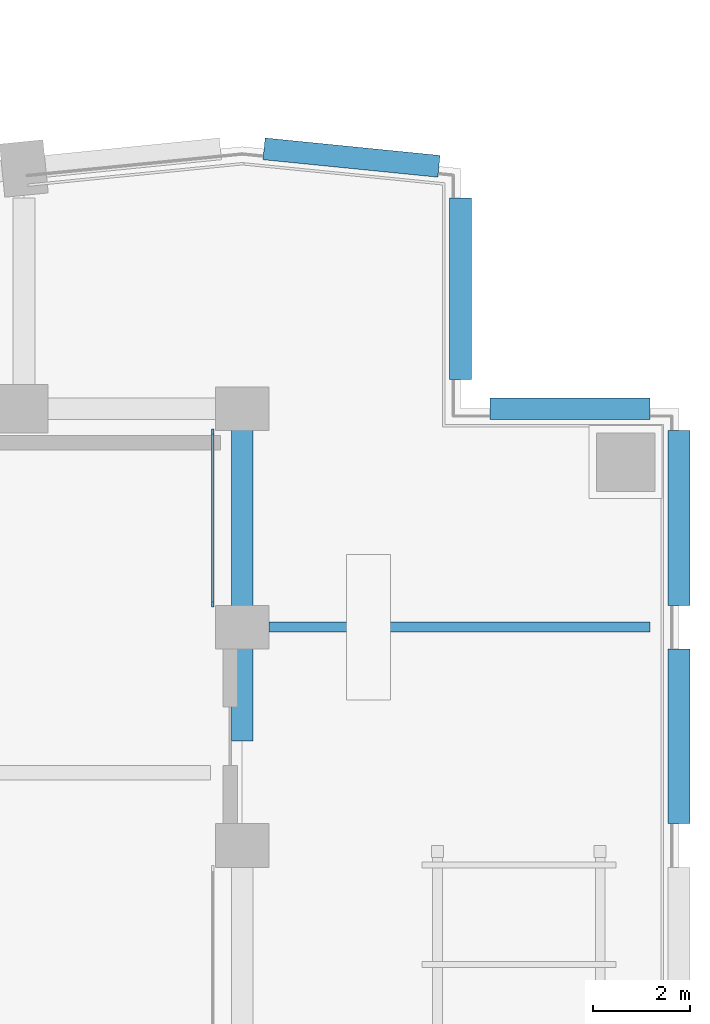
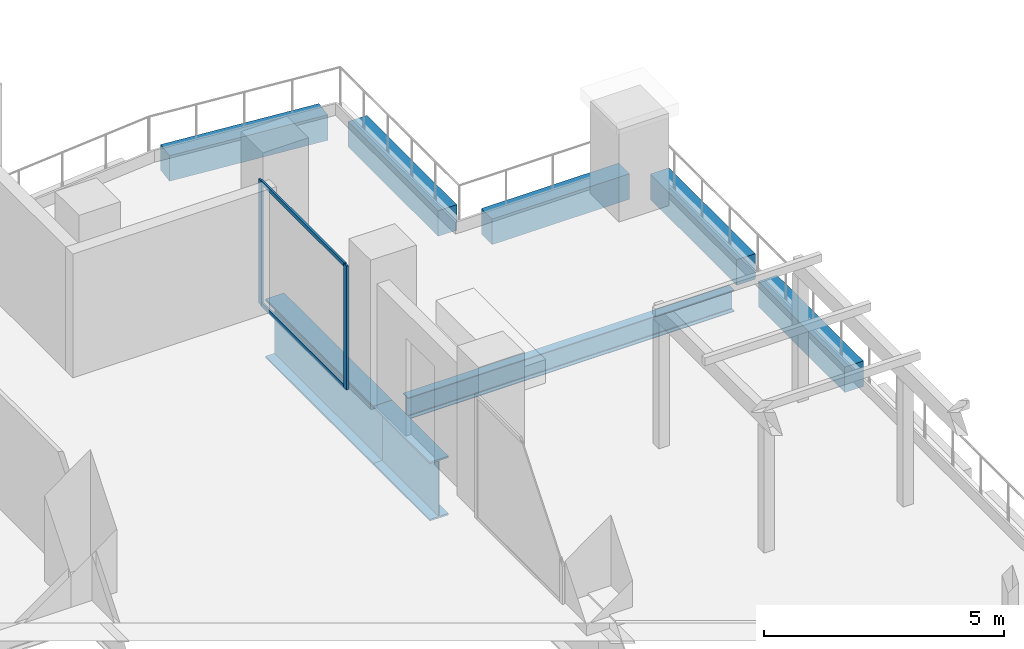
# One storey, part 8 of 18: 8 beams, 4 members, 1 element without a shape of its own.
"""IFC4 building model written with IfcOpenShell, lengths in metres."""

from ifc_helpers import new_model, si_unit, direction, frame, origin, origin_2d, place, context, subcontext, project, spatial, rectangle, i_section, extrude, material, material_profile, profile_set, type_object, element, aggregate, save


model = new_model("IFC4")

# Units and contexts
model_context = context("Model", 3, precision=1e-05, world=origin(), true_north=direction((0.0, 1.0)))
body_context = subcontext(model_context, "Body", "Model", "MODEL_VIEW")
ifc_project = project(units=[si_unit("LENGTHUNIT", "METRE"), si_unit("AREAUNIT", "SQUARE_METRE"), si_unit("VOLUMEUNIT", "CUBIC_METRE"), si_unit("PLANEANGLEUNIT", "RADIAN"), si_unit("MASSUNIT", "GRAM", prefix="KILO")], contexts=[model_context])

# Site, building, storey
site_placement = place(None, origin())
site = spatial("IfcSite", under=ifc_project, at=site_placement, CompositionType="ELEMENT")
building_placement = place(site_placement, origin())
building = spatial("IfcBuilding", under=site, at=building_placement, Name="Brondeck Convention Tower", CompositionType="ELEMENT")
storey_placement = place(building_placement, frame((0.0, 0.0, 143.39990234375)))
storey = spatial("IfcBuildingStorey", under=building, at=storey_placement, Name="L34", CompositionType="ELEMENT", Elevation=143.39990234375)

# Curtain wall, members
ifc_material_1 = material(Name="Aluminium, bronze anodised", Category="aluminium")
curtain_wall_type = type_object("IfcCurtainWallType", Name="Terrace door screen curtain wall", PredefinedType="NOTDEFINED", material=ifc_material_1)
curtain_wall_placement = place(storey_placement, origin())
curtain_wall = element("IfcCurtainWall", 1, at=curtain_wall_placement, inside=storey, type_object=curtain_wall_type, Name="ENV-CW6-L34-A-E63-06", PredefinedType="NOTDEFINED")
ifc_material_profile_1 = material_profile(ifc_material_1, rectangle(XDim=0.050048828125, YDim=0.1201171875, at=origin_2d()), Name="CW6 mullion")
ifc_profile_set_1 = profile_set([ifc_material_profile_1], Name="Aluminium, bronze anodised")
member_type_1 = type_object("IfcMemberType", Name="CW6 mullion", PredefinedType="MULLION", material=ifc_profile_set_1)
member_1_placement = place(storey_placement, frame((62.389892578125, 58.02490234375, 0.0), z_axis=(0.0, 0.0, 1.0), x_axis=(1.0, 0.0, 0.0)))
member_1 = element("IfcMember", 2, at=member_1_placement, type_object=member_type_1, Name="CW6 mullion 1", PredefinedType="MULLION", context=body_context, shape_type="SweptSolid", body=[
    extrude(rectangle(XDim=0.050048828125, YDim=0.1201171875, at=origin_2d()), origin(), (0.0, 0.0, 1.0), 3.150146484375),
])
member_2_placement = place(storey_placement, frame((62.389892578125, 54.47509765625, 0.0), z_axis=(0.0, 0.0, 1.0), x_axis=(1.0, 0.0, 0.0)))
member_2 = element("IfcMember", 3, at=member_2_placement, type_object=member_type_1, Name="CW6 mullion 2", PredefinedType="MULLION", context=body_context, shape_type="SweptSolid", body=[
    extrude(rectangle(XDim=0.050048828125, YDim=0.1201171875, at=origin_2d()), origin(), (0.0, 0.0, 1.0), 3.150146484375),
])
ifc_material_profile_2 = material_profile(ifc_material_1, rectangle(XDim=0.050048828125, YDim=0.10009765625, at=origin_2d()), Name="CW6 transom")
ifc_profile_set_2 = profile_set([ifc_material_profile_2], Name="Aluminium, bronze anodised")
member_type_2 = type_object("IfcMemberType", Name="CW6 transom", PredefinedType="USERDEFINED", material=ifc_profile_set_2)
member_3_placement = place(storey_placement, frame((62.389892578125, 58.0, 0.025146484375), z_axis=(0.0, -1.0, 0.0), x_axis=(1.0, 0.0, 0.0)))
member_3 = element("IfcMember", 4, at=member_3_placement, type_object=member_type_2, Name="CW6 transom 1.1", ObjectType="TRANSOM", PredefinedType="USERDEFINED", context=body_context, shape_type="SweptSolid", body=[
    extrude(rectangle(XDim=0.050048828125, YDim=0.10009765625, at=origin_2d()), origin(), (0.0, 0.0, 1.0), 3.5),
])
member_4_placement = place(storey_placement, frame((62.389892578125, 58.0, 3.125), z_axis=(0.0, -1.0, 0.0), x_axis=(1.0, 0.0, 0.0)))
member_4 = element("IfcMember", 5, at=member_4_placement, type_object=member_type_2, Name="CW6 transom 1.2", ObjectType="TRANSOM", PredefinedType="USERDEFINED", context=body_context, shape_type="SweptSolid", body=[
    extrude(rectangle(XDim=0.050048828125, YDim=0.10009765625, at=origin_2d()), origin(), (0.0, 0.0, 1.0), 3.5),
])
aggregate(curtain_wall, [member_1, member_2, member_3, member_4])

# Beams
ifc_material_2 = material(Name="Steel S355", Category="steel")
ifc_material_profile_3 = material_profile(ifc_material_2, i_section(OverallWidth=0.2099609375, OverallDepth=0.550048828125, WebThickness=0.010986328125, FlangeThickness=0.01708984375, FilletRadius=0.02392578125, at=origin_2d()), Name="IPE 550")
ifc_profile_set_3 = profile_set([ifc_material_profile_3], Name="Steel S355")
beam_type_1 = type_object("IfcBeamType", Name="Floor beam IPE 550", PredefinedType="BEAM", material=ifc_profile_set_3)
beam_1_placement = place(storey_placement, frame((63.550048828125, 54.0, -0.574951171875), z_axis=(1.0, 0.0, 0.0), x_axis=(0.0, 1.0, 0.0)))
element("IfcBeam", 6, at=beam_1_placement, inside=storey, type_object=beam_type_1, Name="STR-FB-L34T2-003", PredefinedType="BEAM", context=body_context, shape_type="SweptSolid", body=[
    extrude(i_section(OverallWidth=0.2099609375, OverallDepth=0.550048828125, WebThickness=0.010986328125, FlangeThickness=0.01708984375, FilletRadius=0.02392578125, at=origin_2d()), origin(), (0.0, 0.0, 1.0), 7.849853515625),
])
ifc_material_3 = material(Name="Concrete C70/85", Category="concrete")
ifc_material_profile_4 = material_profile(ifc_material_3, rectangle(XDim=0.449951171875, YDim=0.64990234375, at=origin_2d()), Name="Precast spandrel 450x650 Concrete C70/85")
ifc_profile_set_4 = profile_set([ifc_material_profile_4], Name="Concrete C70/85")
beam_type_2 = type_object("IfcBeamType", Name="Precast spandrel 450x650 Concrete C70/85", PredefinedType="SPANDREL", material=ifc_profile_set_4)
beam_2_placement = place(storey_placement, frame((63.449951171875, 63.85498046875, -0.324951171875), z_axis=(0.995040528141, -0.099470334057, 0.0), x_axis=(0.099470334057, 0.995040528141, 0.0)))
element("IfcBeam", 7, at=beam_2_placement, inside=storey, type_object=beam_type_2, Name="STR-SP-L34T2-001", PredefinedType="SPANDREL", context=body_context, shape_type="SweptSolid", body=[
    extrude(rectangle(XDim=0.449951171875, YDim=0.64990234375, at=origin_2d()), origin(), (0.0, 0.0, 1.0), 3.620361328125),
])
beam_3_placement = place(storey_placement, frame((67.5, 62.846923828125, -0.324951171875), z_axis=(0.0, -1.0, 0.0), x_axis=(1.0, 0.0, 0.0)))
element("IfcBeam", 8, at=beam_3_placement, inside=storey, type_object=beam_type_2, Name="STR-SP-L34T2-002", PredefinedType="SPANDREL", context=body_context, shape_type="SweptSolid", body=[
    extrude(rectangle(XDim=0.449951171875, YDim=0.64990234375, at=origin_2d()), origin(), (0.0, 0.0, 1.0), 3.746826171875),
])
beam_4_placement = place(storey_placement, frame((68.10009765625, 58.5, -0.324951171875), z_axis=(1.0, 0.0, 0.0), x_axis=(0.0, 1.0, 0.0)))
element("IfcBeam", 9, at=beam_4_placement, inside=storey, type_object=beam_type_2, Name="STR-SP-L34T2-003", PredefinedType="SPANDREL", context=body_context, shape_type="SweptSolid", body=[
    extrude(rectangle(XDim=0.449951171875, YDim=0.64990234375, at=origin_2d()), origin(), (0.0, 0.0, 1.0), 3.2998046875),
])
for number, where, z_axis, x_axis, name in (
    (10, (72.0, 58.050048828125, -0.324951171875), (0.0, -1.0, 0.0), (1.0, 0.0, 0.0), "STR-SP-L34T2-004"),
    (11, (72.0, 53.550048828125, -0.324951171875), (0.0, -1.0, 0.0), (1.0, 0.0, 0.0), "STR-SP-L34T2-005"),
):
    element("IfcBeam", number, at=place(storey_placement, frame(where, z_axis=z_axis, x_axis=x_axis)), inside=storey, type_object=beam_type_2, Name=name, PredefinedType="SPANDREL", context=body_context, shape_type="SweptSolid", body=[
        extrude(rectangle(XDim=0.449951171875, YDim=0.64990234375, at=origin_2d()), origin(), (0.0, 0.0, 1.0), 3.60009765625),
    ])
ifc_material_4 = material(Name="Steel S460", Category="steel")
ifc_material_profile_5 = material_profile(ifc_material_4, i_section(OverallWidth=0.449951171875, OverallDepth=1.5, WebThickness=0.02490234375, FlangeThickness=0.044921875, at=origin_2d()), Name="PG 1500x450")
ifc_profile_set_5 = profile_set([ifc_material_profile_5], Name="Steel S460")
beam_type_3 = type_object("IfcBeamType", Name="Transfer girder PG 1500x450", PredefinedType="BEAM", material=ifc_profile_set_5)
beam_5_placement = place(storey_placement, frame((63.0, 51.64990234375, -1.0498046875), z_axis=(0.0, 1.0, 0.0), x_axis=(-1.0, 0.0, 0.0)))
element("IfcBeam", 12, at=beam_5_placement, inside=storey, type_object=beam_type_3, Name="Setback transfer girder PG-L34-17", PredefinedType="BEAM", context=body_context, shape_type="SweptSolid", body=[
    extrude(i_section(OverallWidth=0.449951171875, OverallDepth=1.5, WebThickness=0.02490234375, FlangeThickness=0.044921875, at=origin_2d()), origin(), (0.0, 0.0, 1.0), 2.35009765625),
])
beam_6_placement = place(storey_placement, frame((63.0, 54.0, -1.0498046875), z_axis=(0.0, 1.0, 0.0), x_axis=(-1.0, 0.0, 0.0)))
element("IfcBeam", 13, at=beam_6_placement, inside=storey, type_object=beam_type_3, Name="Setback transfer girder PG-L34-18", PredefinedType="BEAM", context=body_context, shape_type="SweptSolid", body=[
    extrude(i_section(OverallWidth=0.449951171875, OverallDepth=1.5, WebThickness=0.02490234375, FlangeThickness=0.044921875, at=origin_2d()), origin(), (0.0, 0.0, 1.0), 4.5),
])

save(model, "model.ifc")
